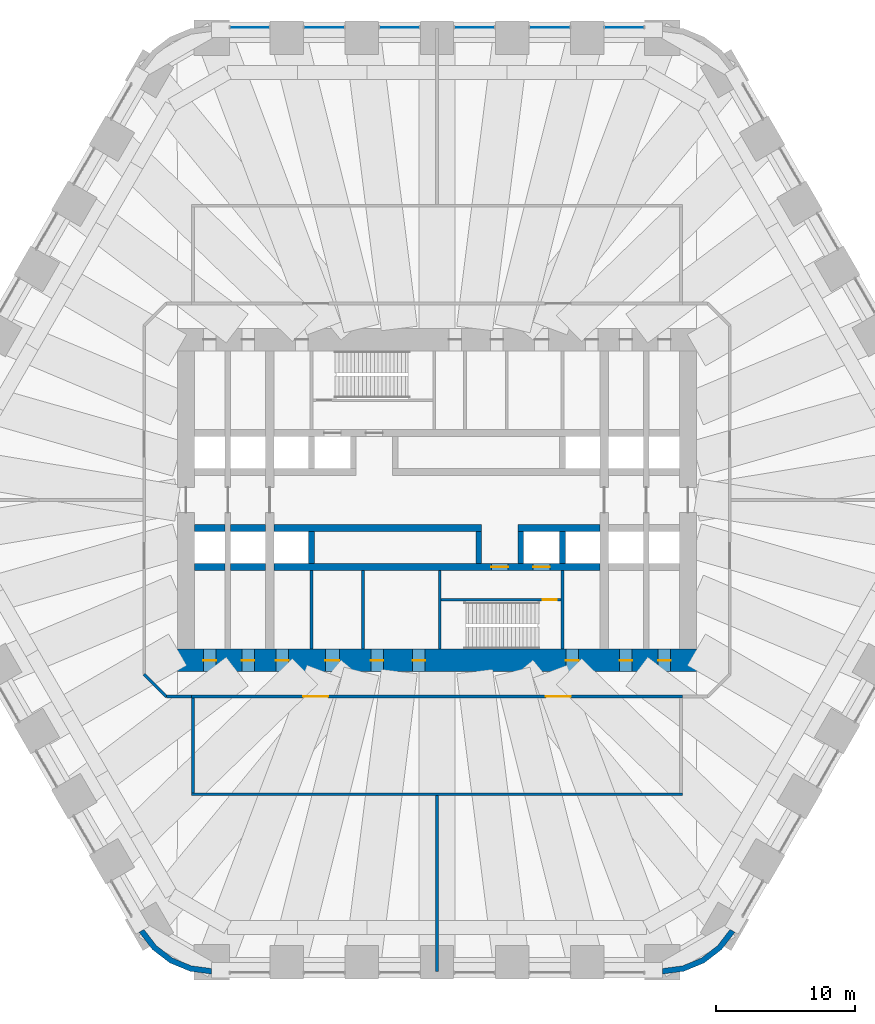
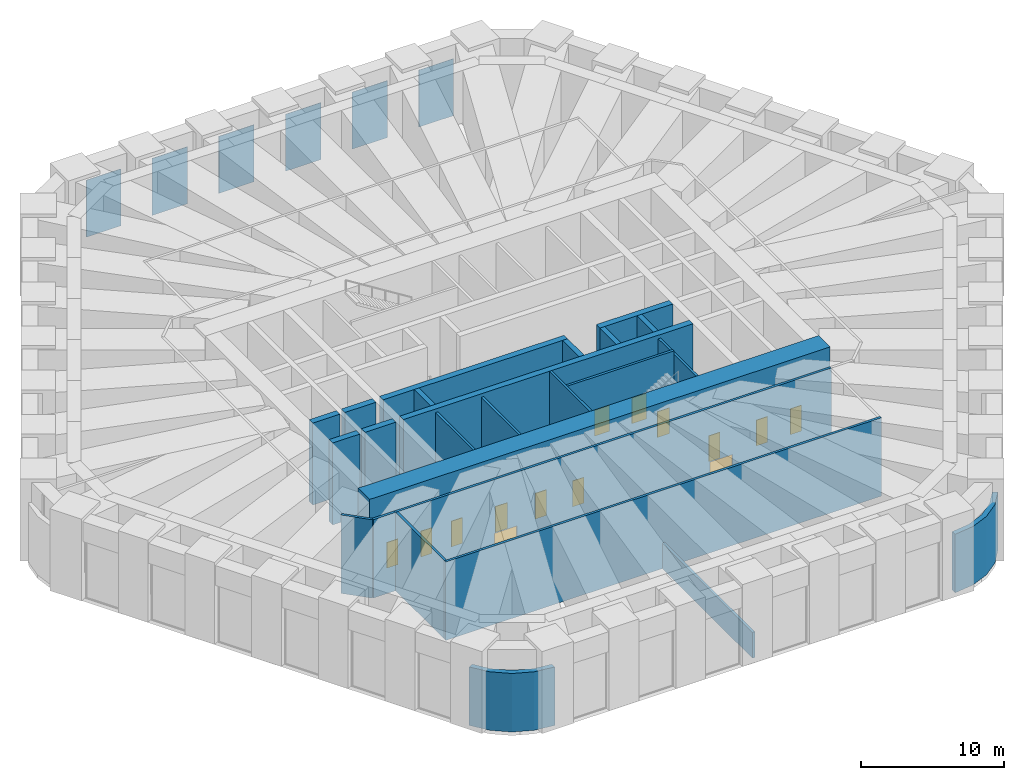
# One storey, part 13 of 17: 25 walls, 14 doors, 6 plates, 14 openings, 6 elements without a shape of their own.
"""IFC4 building model written with IfcOpenShell, lengths in metres."""

from ifc_helpers import new_model, si_unit, direction, frame, frame_2d, origin, origin_2d, place, context, subcontext, project, spatial, polyline, rectangle, outline, extrude, material, layer, layer_set, type_object, element, fill, aggregate, save


model = new_model("IFC4")

# Units and contexts
model_context = context("Model", 3, precision=1e-05, world=origin(), true_north=direction((0.0, 1.0)))
body_context = subcontext(model_context, "Body", "Model", "MODEL_VIEW")
ifc_project = project(units=[si_unit("LENGTHUNIT", "METRE"), si_unit("AREAUNIT", "SQUARE_METRE"), si_unit("VOLUMEUNIT", "CUBIC_METRE"), si_unit("PLANEANGLEUNIT", "RADIAN"), si_unit("MASSUNIT", "GRAM", prefix="KILO")], contexts=[model_context])

# Site, building, storey
site_placement = place(None, origin())
site = spatial("IfcSite", under=ifc_project, at=site_placement, CompositionType="ELEMENT")
building_placement = place(site_placement, origin())
building = spatial("IfcBuilding", under=site, at=building_placement, Name="Tarfa Lantern Tower", CompositionType="ELEMENT")
storey_placement = place(building_placement, frame((0.0, 0.0, 107.5)))
storey = spatial("IfcBuildingStorey", under=building, at=storey_placement, Name="L24", CompositionType="ELEMENT", Elevation=107.5)

# Curtain wall, plate
ifc_material_1 = material(Name="Aluminium framed curtain wall", Category="aluminium")
curtain_wall_type = type_object("IfcCurtainWallType", Name="CW6 LOUVRED SCREEN WALL 5000", PredefinedType="USERDEFINED", material=ifc_material_1)
curtain_wall_1_placement = place(storey_placement, origin())
curtain_wall_1 = element("IfcCurtainWall", 1, at=curtain_wall_1_placement, inside=storey, type_object=curtain_wall_type, Name="CW6 N L24", ObjectType="CURTAIN WALL", PredefinedType="USERDEFINED")
ifc_material_2 = material(Name="Aluminium louvre blades", Category="aluminium")
ifc_layer_1 = layer(ifc_material_2, 0.028076171875)
ifc_layer_set_1 = layer_set([ifc_layer_1], Name="CWP2 LOUVRE PANEL")
plate_type = type_object("IfcPlateType", Name="CWP2 LOUVRE PANEL", PredefinedType="CURTAIN_PANEL", material=ifc_layer_set_1)
plate_1_placement = place(storey_placement, frame((13.43408203125, 33.89990234375, 0.06494140625), z_axis=(0.0, 0.0, 1.0), x_axis=(-1.0, 0.0, 0.0)))
plate_1 = element("IfcPlate", 2, at=plate_1_placement, type_object=plate_type, Name="CW6 panel 1.1", PredefinedType="CURTAIN_PANEL", context=body_context, shape_type="SweptSolid", body=[
    extrude(rectangle(XDim=2.78369140625, YDim=0.028076171875, at=origin_2d()), origin(), (0.0, 0.0, 1.0), 4.8701171875),
])
aggregate(curtain_wall_1, [plate_1])

curtain_wall_2_placement = place(storey_placement, origin())
curtain_wall_2 = element("IfcCurtainWall", 3, at=curtain_wall_2_placement, inside=storey, type_object=curtain_wall_type, Name="CW6 N L24", ObjectType="CURTAIN WALL", PredefinedType="USERDEFINED")
plate_2_placement = place(storey_placement, frame((8.0830078125, 33.89990234375, 0.06494140625), z_axis=(0.0, 0.0, 1.0), x_axis=(-1.0, 0.0, 0.0)))
plate_2 = element("IfcPlate", 4, at=plate_2_placement, type_object=plate_type, Name="CW6 panel 1.1", PredefinedType="CURTAIN_PANEL", context=body_context, shape_type="SweptSolid", body=[
    extrude(rectangle(XDim=2.858642578125, YDim=0.028076171875, at=origin_2d()), origin(), (0.0, 0.0, 1.0), 4.8701171875),
])
aggregate(curtain_wall_2, [plate_2])

curtain_wall_3_placement = place(storey_placement, origin())
curtain_wall_3 = element("IfcCurtainWall", 5, at=curtain_wall_3_placement, inside=storey, type_object=curtain_wall_type, Name="CW6 N L24", ObjectType="CURTAIN WALL", PredefinedType="USERDEFINED")
plate_3_placement = place(storey_placement, frame((2.6943359375, 33.89990234375, 0.06494140625), z_axis=(0.0, 0.0, 1.0), x_axis=(-1.0, 0.0, 0.0)))
plate_3 = element("IfcPlate", 6, at=plate_3_placement, type_object=plate_type, Name="CW6 panel 1.1", PredefinedType="CURTAIN_PANEL", context=body_context, shape_type="SweptSolid", body=[
    extrude(rectangle(XDim=2.858642578125, YDim=0.028076171875, at=origin_2d()), origin(), (0.0, 0.0, 1.0), 4.8701171875),
])
aggregate(curtain_wall_3, [plate_3])

curtain_wall_4_placement = place(storey_placement, origin())
curtain_wall_4 = element("IfcCurtainWall", 7, at=curtain_wall_4_placement, inside=storey, type_object=curtain_wall_type, Name="CW6 N L24", ObjectType="CURTAIN WALL", PredefinedType="USERDEFINED")
plate_4_placement = place(storey_placement, frame((-2.6943359375, 33.89990234375, 0.06494140625), z_axis=(0.0, 0.0, 1.0), x_axis=(-1.0, 0.0, 0.0)))
plate_4 = element("IfcPlate", 8, at=plate_4_placement, type_object=plate_type, Name="CW6 panel 1.1", PredefinedType="CURTAIN_PANEL", context=body_context, shape_type="SweptSolid", body=[
    extrude(rectangle(XDim=2.858642578125, YDim=0.028076171875, at=origin_2d()), origin(), (0.0, 0.0, 1.0), 4.8701171875),
])
aggregate(curtain_wall_4, [plate_4])

curtain_wall_5_placement = place(storey_placement, origin())
curtain_wall_5 = element("IfcCurtainWall", 9, at=curtain_wall_5_placement, inside=storey, type_object=curtain_wall_type, Name="CW6 N L24", ObjectType="CURTAIN WALL", PredefinedType="USERDEFINED")
plate_5_placement = place(storey_placement, frame((-8.0830078125, 33.89990234375, 0.06494140625), z_axis=(0.0, 0.0, 1.0), x_axis=(-1.0, 0.0, 0.0)))
plate_5 = element("IfcPlate", 10, at=plate_5_placement, type_object=plate_type, Name="CW6 panel 1.1", PredefinedType="CURTAIN_PANEL", context=body_context, shape_type="SweptSolid", body=[
    extrude(rectangle(XDim=2.858642578125, YDim=0.028076171875, at=origin_2d()), origin(), (0.0, 0.0, 1.0), 4.8701171875),
])
aggregate(curtain_wall_5, [plate_5])

curtain_wall_6_placement = place(storey_placement, origin())
curtain_wall_6 = element("IfcCurtainWall", 11, at=curtain_wall_6_placement, inside=storey, type_object=curtain_wall_type, Name="CW6 N L24", ObjectType="CURTAIN WALL", PredefinedType="USERDEFINED")
plate_6_placement = place(storey_placement, frame((-13.43408203125, 33.89990234375, 0.06494140625), z_axis=(0.0, 0.0, 1.0), x_axis=(-1.0, 0.0, 0.0)))
plate_6 = element("IfcPlate", 12, at=plate_6_placement, type_object=plate_type, Name="CW6 panel 1.1", PredefinedType="CURTAIN_PANEL", context=body_context, shape_type="SweptSolid", body=[
    extrude(rectangle(XDim=2.78369140625, YDim=0.028076171875, at=origin_2d()), origin(), (0.0, 0.0, 1.0), 4.8701171875),
])
aggregate(curtain_wall_6, [plate_6])

# Walls
ifc_material_3 = material(Name="Limestone cladding on blockwork", Category="masonry")
ifc_layer_2 = layer(ifc_material_3, 0.39990234375)
ifc_layer_set_2 = layer_set([ifc_layer_2], Name="EW2 CURVED STONE CORNER 400")
wall_type_1 = type_object("IfcWallType", Name="EW2 CURVED STONE CORNER 400", PredefinedType="SOLIDWALL", material=ifc_layer_set_2)
wall_1_placement = place(storey_placement, origin())
element("IfcWall", 13, at=wall_1_placement, inside=storey, type_object=wall_type_1, Name="Stone corner SW-S", PredefinedType="SOLIDWALL", context=body_context, shape_type="SweptSolid", body=[
    extrude(outline(polyline([(-21.362060546875, -31.0), (-20.408447265625, -32.24267578125), (-19.165771484375, -33.196044921875), (-17.71875, -33.795654296875), (-16.165771484375, -34.0), (-16.165771484375, -33.60009765625), (-17.615234375, -33.4091796875), (-18.9658203125, -32.849853515625), (-20.12548828125, -31.959716796875), (-21.015625, -30.800048828125), (-21.362060546875, -31.0)])), origin(), (0.0, 0.0, 1.0), 5.0),
])
wall_2_placement = place(storey_placement, origin())
element("IfcWall", 14, at=wall_2_placement, inside=storey, type_object=wall_type_1, Name="Stone corner S-SE", PredefinedType="SOLIDWALL", context=body_context, shape_type="SweptSolid", body=[
    extrude(outline(polyline([(16.165771484375, -34.0), (17.71875, -33.795654296875), (19.165771484375, -33.196044921875), (20.408447265625, -32.24267578125), (21.362060546875, -31.0), (21.015625, -30.800048828125), (20.12548828125, -31.959716796875), (18.9658203125, -32.849853515625), (17.615234375, -33.4091796875), (16.165771484375, -33.60009765625), (16.165771484375, -34.0)])), origin(), (0.0, 0.0, 1.0), 5.0),
])
ifc_material_4 = material(Name="Concrete blockwork", Category="masonry")
ifc_layer_3 = layer(ifc_material_4, 0.199951171875)
ifc_layer_set_3 = layer_set([ifc_layer_3], Name="IW1 BLOCKWORK PARTITION 200 EI 120")
wall_type_2 = type_object("IfcWallType", Name="IW1 BLOCKWORK PARTITION 200 EI 120", PredefinedType="PARTITIONING", material=ifc_layer_set_3)
for number, where, z_axis, x_axis, name in (
    (15, (9.0, -5.050048828125, 0.0), (0.0, 0.0, 1.0), (0.0, -1.0, 0.0), "Core partition"),
    (16, (-9.0, -5.050048828125, 0.0), (0.0, 0.0, 1.0), (0.0, -1.0, 0.0), "Core partition"),
    (17, (-5.300048828125, -5.050048828125, 0.0), (0.0, 0.0, 1.0), (0.0, -1.0, 0.0), "Core partition"),
):
    element("IfcWall", number, at=place(storey_placement, frame(where, z_axis=z_axis, x_axis=x_axis)), inside=storey, type_object=wall_type_2, Name=name, PredefinedType="PARTITIONING", context=body_context, shape_type="SweptSolid", body=[
        extrude(rectangle(XDim=5.64990234375, YDim=0.199951171875, at=frame_2d((2.824951171875, 0.0))), origin(), (0.0, 0.0, 1.0), 6.699951171875),
    ])
wall_3_placement = place(storey_placement, frame((-17.60009765625, -14.10009765625, 0.0), z_axis=(0.0, 0.0, 1.0), x_axis=(-1.0, 0.0, 0.0)))
element("IfcWall", 18, at=wall_3_placement, inside=storey, type_object=wall_type_2, Name="Fire-rated partition", PredefinedType="PARTITIONING", context=body_context, shape_type="SweptSolid", body=[
    extrude(rectangle(XDim=1.7998046875, YDim=0.199951171875, at=frame_2d((0.89990234375, 0.0))), origin(), (0.0, 0.0, 1.0), 6.699951171875),
])
wall_4_placement = place(storey_placement, frame((-19.39990234375, -14.10009765625, 0.0), z_axis=(0.0, 0.0, 1.0), x_axis=(-0.707106781187, 0.707106781187, 0.0)))
element("IfcWall", 19, at=wall_4_placement, inside=storey, type_object=wall_type_2, Name="Fire-rated partition", PredefinedType="PARTITIONING", context=body_context, shape_type="SweptSolid", body=[
    extrude(rectangle(XDim=2.262939453125, YDim=0.199951171875, at=frame_2d((1.13134765625, 0.0))), origin(), (0.0, 0.0, 1.0), 6.699951171875),
])
wall_5_placement = place(storey_placement, frame((0.0, -21.199951171875, 0.0), z_axis=(0.0, 0.0, 1.0), x_axis=(0.0, -1.0, 0.0)))
element("IfcWall", 20, at=wall_5_placement, inside=storey, type_object=wall_type_2, Name="Fire-rated partition", PredefinedType="PARTITIONING", context=body_context, shape_type="SweptSolid", body=[
    extrude(rectangle(XDim=12.610107421875, YDim=0.199951171875, at=frame_2d((6.30517578125, 0.0))), origin(), (0.0, 0.0, 1.0), 2.199951171875),
])

# Wall, openings, doors
ifc_material_5 = material(Name="Gypsum board on steel studs", Category="steel")
ifc_layer_4 = layer(ifc_material_5, 0.2099609375)
ifc_layer_set_4 = layer_set([ifc_layer_4], Name="IW2 ACOUSTIC PARTITION 200")
wall_type_3 = type_object("IfcWallType", Name="IW2 ACOUSTIC PARTITION 200", PredefinedType="PARTITIONING", material=ifc_layer_set_4)
wall_6_placement = place(storey_placement, frame((17.60009765625, -14.10009765625, 0.0), z_axis=(0.0, 0.0, 1.0), x_axis=(-1.0, 0.0, 0.0)))
wall_6 = element("IfcWall", 21, at=wall_6_placement, inside=storey, type_object=wall_type_3, Name="Partition", PredefinedType="PARTITIONING", context=body_context, shape_type="SweptSolid", body=[
    extrude(rectangle(XDim=35.2001953125, YDim=0.199951171875, at=frame_2d((17.60009765625, 0.0))), origin(), (0.0, 0.0, 1.0), 6.699951171875),
])
opening_1_placement = place(wall_6_placement, frame((25.39990234375, 0.0, 0.0)))
opening_1 = element("IfcOpeningElement", 22, at=opening_1_placement, cuts=wall_6, Name="Opening D35", PredefinedType="OPENING", context=body_context, shape_type="SweptSolid", body=[
    extrude(rectangle(XDim=1.800048828125, YDim=2.10009765625, at=frame_2d((0.89990234375, 1.050048828125))), frame((0.0, 0.10986328125, 0.0), z_axis=(0.0, -1.0, 0.0), x_axis=(1.0, 0.0, 0.0)), (0.0, 0.0, 1.0), 0.219970703125),
])
opening_2_placement = place(wall_6_placement, frame((8.0, 0.0, 0.0)))
opening_2 = element("IfcOpeningElement", 23, at=opening_2_placement, cuts=wall_6, Name="Opening D36", PredefinedType="OPENING", context=body_context, shape_type="SweptSolid", body=[
    extrude(rectangle(XDim=1.800048828125, YDim=2.10009765625, at=frame_2d((0.89990234375, 1.050048828125))), frame((0.0, 0.10986328125, 0.0), z_axis=(0.0, -1.0, 0.0), x_axis=(1.0, 0.0, 0.0)), (0.0, 0.0, 1.0), 0.219970703125),
])
ifc_material_6 = material(Name="Timber door", Category="wood")
door_type_1 = type_object("IfcDoorType", Name="DR4 ROOM DOOR 1800x2100", OperationType="DOUBLE_DOOR_SINGLE_SWING", PredefinedType="DOOR", material=ifc_material_6)
door_1_placement = place(opening_1_placement, origin())
door_1 = element("IfcDoor", 24, at=door_1_placement, inside=storey, type_object=door_type_1, Name="Refuge area door", OperationType="DOUBLE_DOOR_SINGLE_SWING", OverallHeight=2.10009765625, OverallWidth=1.800048828125, PredefinedType="DOOR", context=body_context, shape_type="SweptSolid", body=[
    extrude(rectangle(XDim=1.800048828125, YDim=2.10009765625, at=frame_2d((0.89990234375, 1.050048828125))), frame((0.0, 0.02490234375, 0.0), z_axis=(0.0, -1.0, 0.0), x_axis=(1.0, 0.0, 0.0)), (0.0, 0.0, 1.0), 0.050048828125),
])
fill(opening_1, door_1)
door_2_placement = place(opening_2_placement, origin())
door_2 = element("IfcDoor", 25, at=door_2_placement, inside=storey, type_object=door_type_1, Name="Refuge area door", OperationType="DOUBLE_DOOR_SINGLE_SWING", OverallHeight=2.10009765625, OverallWidth=1.800048828125, PredefinedType="DOOR", context=body_context, shape_type="SweptSolid", body=[
    extrude(rectangle(XDim=1.800048828125, YDim=2.10009765625, at=frame_2d((0.89990234375, 1.050048828125))), frame((0.0, 0.02490234375, 0.0), z_axis=(0.0, -1.0, 0.0), x_axis=(1.0, 0.0, 0.0)), (0.0, 0.0, 1.0), 0.050048828125),
])
fill(opening_2, door_2)

# Walls
wall_7_placement = place(storey_placement, frame((-17.5, -14.199951171875, 0.0), z_axis=(0.0, 0.0, 1.0), x_axis=(0.0, -1.0, 0.0)))
element("IfcWall", 26, at=wall_7_placement, inside=storey, type_object=wall_type_3, Name="Partition", PredefinedType="PARTITIONING", context=body_context, shape_type="SweptSolid", body=[
    extrude(rectangle(XDim=6.800048828125, YDim=0.199951171875, at=frame_2d((3.39990234375, 0.0))), origin(), (0.0, 0.0, 1.0), 6.699951171875),
])
wall_8_placement = place(storey_placement, frame((17.60009765625, -21.10009765625, 0.0), z_axis=(0.0, 0.0, 1.0), x_axis=(-1.0, 0.0, 0.0)))
element("IfcWall", 27, at=wall_8_placement, inside=storey, type_object=wall_type_3, Name="Partition", PredefinedType="PARTITIONING", context=body_context, shape_type="SweptSolid", body=[
    extrude(rectangle(XDim=35.2001953125, YDim=0.199951171875, at=frame_2d((17.60009765625, 0.0))), origin(), (0.0, 0.0, 1.0), 6.699951171875),
])
ifc_material_7 = material(Name="Concrete C80/95", Category="concrete")
ifc_layer_5 = layer(ifc_material_7, 0.199951171875)
ifc_layer_set_5 = layer_set([ifc_layer_5], Name="SW12 CORE WALL 200")
wall_type_4 = type_object("IfcWallType", Name="SW12 CORE WALL 200", PredefinedType="SHEAR", material=ifc_layer_set_5)
wall_9_placement = place(storey_placement, frame((0.199951171875, -5.050048828125, 0.0), z_axis=(0.0, 0.0, 1.0), x_axis=(0.0, -1.0, 0.0)))
element("IfcWall", 28, at=wall_9_placement, inside=storey, type_object=wall_type_4, Name="Core wall stair shaft S", PredefinedType="SHEAR", context=body_context, shape_type="SweptSolid", body=[
    extrude(rectangle(XDim=5.64990234375, YDim=0.199951171875, at=frame_2d((2.824951171875, 0.0))), origin(), (0.0, 0.0, 1.0), 7.0),
])

# Wall, opening, door
wall_10_placement = place(storey_placement, frame((8.89990234375, -7.14990234375, 0.0), z_axis=(0.0, 0.0, 1.0), x_axis=(-1.0, 0.0, 0.0)))
wall_10 = element("IfcWall", 29, at=wall_10_placement, inside=storey, type_object=wall_type_4, Name="Core wall stair partition S", PredefinedType="SHEAR", context=body_context, shape_type="SweptSolid", body=[
    extrude(rectangle(XDim=8.599853515625, YDim=0.199951171875, at=frame_2d((4.2998046875, 0.0))), origin(), (0.0, 0.0, 1.0), 7.0),
])
opening_3_placement = place(wall_10_placement, frame((0.300048828125, 0.0, 0.0)))
opening_3 = element("IfcOpeningElement", 30, at=opening_3_placement, cuts=wall_10, Name="Opening D24", PredefinedType="OPENING", context=body_context, shape_type="SweptSolid", body=[
    extrude(rectangle(XDim=1.0, YDim=2.199951171875, at=frame_2d((0.5, 1.10009765625))), frame((0.0, 0.10986328125, 0.0), z_axis=(0.0, -1.0, 0.0), x_axis=(1.0, 0.0, 0.0)), (0.0, 0.0, 1.0), 0.219970703125),
])
ifc_material_8 = material(Name="Steel fire door", Category="steel")
door_type_2 = type_object("IfcDoorType", Name="DF2 STAIR DOOR 1000x2200", OperationType="SINGLE_SWING_LEFT", PredefinedType="DOOR", material=ifc_material_8)
door_3_placement = place(opening_3_placement, origin())
door_3 = element("IfcDoor", 31, at=door_3_placement, inside=storey, type_object=door_type_2, Name="Stair door", OperationType="SINGLE_SWING_RIGHT", OverallHeight=2.199951171875, OverallWidth=1.0, PredefinedType="DOOR", context=body_context, shape_type="SweptSolid", body=[
    extrude(rectangle(XDim=1.0, YDim=2.199951171875, at=frame_2d((0.5, 1.10009765625))), frame((0.0, 0.02490234375, 0.0), z_axis=(0.0, -1.0, 0.0), x_axis=(1.0, 0.0, 0.0)), (0.0, 0.0, 1.0), 0.050048828125),
])
fill(opening_3, door_3)

# Walls
ifc_layer_6 = layer(ifc_material_7, 0.5)
ifc_layer_set_6 = layer_set([ifc_layer_6], Name="SW5 CORE WALL 500")
wall_type_5 = type_object("IfcWallType", Name="SW5 CORE WALL 500", PredefinedType="SHEAR", material=ifc_layer_set_6)
wall_11_placement = place(storey_placement, frame((11.699951171875, -2.0, 0.0), z_axis=(0.0, 0.0, 1.0), x_axis=(-1.0, 0.0, 0.0)))
element("IfcWall", 32, at=wall_11_placement, inside=storey, type_object=wall_type_5, Name="Core wall lobby west S", PredefinedType="SHEAR", context=body_context, shape_type="SweptSolid", body=[
    extrude(rectangle(XDim=5.89990234375, YDim=0.5, at=frame_2d((2.949951171875, 0.0))), origin(), (0.0, 0.0, 1.0), 7.0),
])
wall_12_placement = place(storey_placement, frame((3.199951171875, -2.0, 0.0), z_axis=(0.0, 0.0, 1.0), x_axis=(-1.0, 0.0, 0.0)))
element("IfcWall", 33, at=wall_12_placement, inside=storey, type_object=wall_type_5, Name="Core wall lobby east S", PredefinedType="SHEAR", context=body_context, shape_type="SweptSolid", body=[
    extrude(rectangle(XDim=14.89990234375, YDim=0.5, at=frame_2d((7.449951171875, 0.0))), origin(), (0.0, 0.0, 1.0), 7.0),
])
wall_13_placement = place(storey_placement, frame((-12.300048828125, -2.0, 0.0), z_axis=(0.0, 0.0, 1.0), x_axis=(-1.0, 0.0, 0.0)))
element("IfcWall", 34, at=wall_13_placement, inside=storey, type_object=wall_type_5, Name="Core wall lobby east S", PredefinedType="SHEAR", context=body_context, shape_type="SweptSolid", body=[
    extrude(rectangle(XDim=2.5, YDim=0.5, at=frame_2d((1.25, 0.0))), origin(), (0.0, 0.0, 1.0), 7.0),
])
wall_14_placement = place(storey_placement, frame((-15.199951171875, -2.0, 0.0), z_axis=(0.0, 0.0, 1.0), x_axis=(-1.0, 0.0, 0.0)))
element("IfcWall", 35, at=wall_14_placement, inside=storey, type_object=wall_type_5, Name="Core wall lobby east S", PredefinedType="SHEAR", context=body_context, shape_type="SweptSolid", body=[
    extrude(rectangle(XDim=2.199951171875, YDim=0.5, at=frame_2d((1.10009765625, 0.0))), origin(), (0.0, 0.0, 1.0), 7.0),
])

# Wall, openings, doors
wall_15_placement = place(storey_placement, frame((11.699951171875, -4.800048828125, 0.0), z_axis=(0.0, 0.0, 1.0), x_axis=(-1.0, 0.0, 0.0)))
wall_15 = element("IfcWall", 36, at=wall_15_placement, inside=storey, type_object=wall_type_5, Name="Core wall rear S", PredefinedType="SHEAR", context=body_context, shape_type="SweptSolid", body=[
    extrude(rectangle(XDim=23.39990234375, YDim=0.5, at=frame_2d((11.699951171875, 0.0))), origin(), (0.0, 0.0, 1.0), 7.0),
])
opening_4_placement = place(wall_15_placement, frame((6.60009765625, 0.0, 0.0)))
opening_4 = element("IfcOpeningElement", 37, at=opening_4_placement, cuts=wall_15, Name="Opening D14", PredefinedType="OPENING", context=body_context, shape_type="SweptSolid", body=[
    extrude(rectangle(XDim=1.199951171875, YDim=2.199951171875, at=frame_2d((0.60009765625, 1.10009765625))), frame((0.0, 0.260009765625, 0.0), z_axis=(0.0, -1.0, 0.0), x_axis=(1.0, 0.0, 0.0)), (0.0, 0.0, 1.0), 0.52001953125),
])
opening_5_placement = place(wall_15_placement, frame((3.60009765625, 0.0, 0.0)))
opening_5 = element("IfcOpeningElement", 38, at=opening_5_placement, cuts=wall_15, Name="Opening LD02", PredefinedType="OPENING", context=body_context, shape_type="SweptSolid", body=[
    extrude(rectangle(XDim=1.199951171875, YDim=2.199951171875, at=frame_2d((0.60009765625, 1.10009765625))), frame((0.0, 0.260009765625, 0.0), z_axis=(0.0, -1.0, 0.0), x_axis=(1.0, 0.0, 0.0)), (0.0, 0.0, 1.0), 0.52001953125),
])
door_type_3 = type_object("IfcDoorType", Name="DF1 FIREFIGHTING LOBBY DOOR 1200x2200", OperationType="SINGLE_SWING_LEFT", PredefinedType="DOOR", material=ifc_material_8)
door_4_placement = place(opening_4_placement, origin())
door_4 = element("IfcDoor", 39, at=door_4_placement, inside=storey, type_object=door_type_3, Name="Firefighting lobby door", OperationType="SINGLE_SWING_LEFT", OverallHeight=2.199951171875, OverallWidth=1.199951171875, PredefinedType="DOOR", context=body_context, shape_type="SweptSolid", body=[
    extrude(rectangle(XDim=1.199951171875, YDim=2.199951171875, at=frame_2d((0.60009765625, 1.10009765625))), frame((0.0, 0.02490234375, 0.0), z_axis=(0.0, -1.0, 0.0), x_axis=(1.0, 0.0, 0.0)), (0.0, 0.0, 1.0), 0.050048828125),
])
fill(opening_4, door_4)
ifc_material_9 = material(Name="Stainless steel lift door", Category="steel")
door_type_4 = type_object("IfcDoorType", Name="LD1 LIFT LANDING DOOR 1200x2200", OperationType="SLIDING_TO_LEFT", PredefinedType="DOOR", material=ifc_material_9)
door_5_placement = place(opening_5_placement, origin())
door_5 = element("IfcDoor", 40, at=door_5_placement, inside=storey, type_object=door_type_4, Name="Landing door FL2", OperationType="SLIDING_TO_LEFT", OverallHeight=2.199951171875, OverallWidth=1.199951171875, PredefinedType="DOOR", context=body_context, shape_type="SweptSolid", body=[
    extrude(rectangle(XDim=1.199951171875, YDim=2.199951171875, at=frame_2d((0.60009765625, 1.10009765625))), frame((0.0, 0.02490234375, 0.0), z_axis=(0.0, -1.0, 0.0), x_axis=(1.0, 0.0, 0.0)), (0.0, 0.0, 1.0), 0.050048828125),
])
fill(opening_5, door_5)

# Walls
wall_16_placement = place(storey_placement, frame((-12.300048828125, -4.800048828125, 0.0), z_axis=(0.0, 0.0, 1.0), x_axis=(-1.0, 0.0, 0.0)))
element("IfcWall", 41, at=wall_16_placement, inside=storey, type_object=wall_type_5, Name="Core wall rear S", PredefinedType="SHEAR", context=body_context, shape_type="SweptSolid", body=[
    extrude(rectangle(XDim=2.5, YDim=0.5, at=frame_2d((1.25, 0.0))), origin(), (0.0, 0.0, 1.0), 7.0),
])
wall_17_placement = place(storey_placement, frame((-15.199951171875, -4.800048828125, 0.0), z_axis=(0.0, 0.0, 1.0), x_axis=(-1.0, 0.0, 0.0)))
element("IfcWall", 42, at=wall_17_placement, inside=storey, type_object=wall_type_5, Name="Core wall rear S", PredefinedType="SHEAR", context=body_context, shape_type="SweptSolid", body=[
    extrude(rectangle(XDim=2.199951171875, YDim=0.5, at=frame_2d((1.10009765625, 0.0))), origin(), (0.0, 0.0, 1.0), 7.0),
])
ifc_layer_7 = layer(ifc_material_7, 0.39990234375)
ifc_layer_set_7 = layer_set([ifc_layer_7], Name="SW6 CORE WALL 400")
wall_type_6 = type_object("IfcWallType", Name="SW6 CORE WALL 400", PredefinedType="SHEAR", material=ifc_layer_set_7)
for number, where, z_axis, x_axis, name in (
    (43, (9.0, -2.25, 0.0), (0.0, 0.0, 1.0), (0.0, -1.0, 0.0), "Core wall divider S"),
    (44, (6.0, -2.25, 0.0), (0.0, 0.0, 1.0), (0.0, -1.0, 0.0), "Core wall divider S"),
    (45, (3.0, -2.25, 0.0), (0.0, 0.0, 1.0), (0.0, -1.0, 0.0), "Core wall divider S"),
    (46, (-9.0, -2.25, 0.0), (0.0, 0.0, 1.0), (0.0, -1.0, 0.0), "Core wall divider S"),
):
    element("IfcWall", number, at=place(storey_placement, frame(where, z_axis=z_axis, x_axis=x_axis)), inside=storey, type_object=wall_type_6, Name=name, PredefinedType="SHEAR", context=body_context, shape_type="SweptSolid", body=[
        extrude(rectangle(XDim=2.300048828125, YDim=0.39990234375, at=frame_2d((1.14990234375, 0.0))), origin(), (0.0, 0.0, 1.0), 7.0),
    ])

# Wall, openings, doors
ifc_layer_8 = layer(ifc_material_7, 1.60009765625)
ifc_layer_set_8 = layer_set([ifc_layer_8], Name="SW7 CORE WALL 1600")
wall_type_7 = type_object("IfcWallType", Name="SW7 CORE WALL 1600", PredefinedType="SHEAR", material=ifc_layer_set_8)
wall_18_placement = place(storey_placement, frame((18.60009765625, -11.5, 0.0), z_axis=(0.0, 0.0, 1.0), x_axis=(-1.0, 0.0, 0.0)))
wall_18 = element("IfcWall", 47, at=wall_18_placement, inside=storey, type_object=wall_type_7, Name="Core wall S", PredefinedType="SHEAR", context=body_context, shape_type="SweptSolid", body=[
    extrude(rectangle(XDim=37.2001953125, YDim=1.60009765625, at=frame_2d((18.60009765625, 0.0))), origin(), (0.0, 0.0, 1.0), 7.0),
])
opening_6_placement = place(wall_18_placement, frame((19.449951171875, 0.0, 0.0)))
opening_6 = element("IfcOpeningElement", 48, at=opening_6_placement, cuts=wall_18, Name="Opening D18", PredefinedType="OPENING", context=body_context, shape_type="SweptSolid", body=[
    extrude(rectangle(XDim=0.89990234375, YDim=2.199951171875, at=frame_2d((0.449951171875, 1.10009765625))), frame((0.0, 0.81005859375, 0.0), z_axis=(0.0, -1.0, 0.0), x_axis=(1.0, 0.0, 0.0)), (0.0, 0.0, 1.0), 1.6201171875),
])
opening_7_placement = place(wall_18_placement, frame((22.449951171875, 0.0, 0.0)))
opening_7 = element("IfcOpeningElement", 49, at=opening_7_placement, cuts=wall_18, Name="Opening D20", PredefinedType="OPENING", context=body_context, shape_type="SweptSolid", body=[
    extrude(rectangle(XDim=0.89990234375, YDim=2.199951171875, at=frame_2d((0.449951171875, 1.10009765625))), frame((0.0, 0.81005859375, 0.0), z_axis=(0.0, -1.0, 0.0), x_axis=(1.0, 0.0, 0.0)), (0.0, 0.0, 1.0), 1.6201171875),
])
opening_8_placement = place(wall_18_placement, frame((25.60009765625, 0.0, 0.0)))
opening_8 = element("IfcOpeningElement", 50, at=opening_8_placement, cuts=wall_18, Name="Opening D22", PredefinedType="OPENING", context=body_context, shape_type="SweptSolid", body=[
    extrude(rectangle(XDim=1.0, YDim=2.199951171875, at=frame_2d((0.5, 1.10009765625))), frame((0.0, 0.81005859375, 0.0), z_axis=(0.0, -1.0, 0.0), x_axis=(1.0, 0.0, 0.0)), (0.0, 0.0, 1.0), 1.6201171875),
])
opening_9_placement = place(wall_18_placement, frame((1.85009765625, 0.0, 0.0)))
opening_9 = element("IfcOpeningElement", 51, at=opening_9_placement, cuts=wall_18, Name="Opening D12", PredefinedType="OPENING", context=body_context, shape_type="SweptSolid", body=[
    extrude(rectangle(XDim=0.89990234375, YDim=2.199951171875, at=frame_2d((0.449951171875, 1.10009765625))), frame((0.0, 0.81005859375, 0.0), z_axis=(0.0, -1.0, 0.0), x_axis=(1.0, 0.0, 0.0)), (0.0, 0.0, 1.0), 1.6201171875),
])
opening_10_placement = place(wall_18_placement, frame((4.60009765625, 0.0, 0.0)))
opening_10 = element("IfcOpeningElement", 52, at=opening_10_placement, cuts=wall_18, Name="Opening D08", PredefinedType="OPENING", context=body_context, shape_type="SweptSolid", body=[
    extrude(rectangle(XDim=0.89990234375, YDim=2.199951171875, at=frame_2d((0.449951171875, 1.10009765625))), frame((0.0, 0.81005859375, 0.0), z_axis=(0.0, -1.0, 0.0), x_axis=(1.0, 0.0, 0.0)), (0.0, 0.0, 1.0), 1.6201171875),
])
opening_11_placement = place(wall_18_placement, frame((8.449951171875, 0.0, 0.0)))
opening_11 = element("IfcOpeningElement", 53, at=opening_11_placement, cuts=wall_18, Name="Opening D10", PredefinedType="OPENING", context=body_context, shape_type="SweptSolid", body=[
    extrude(rectangle(XDim=0.89990234375, YDim=2.199951171875, at=frame_2d((0.449951171875, 1.10009765625))), frame((0.0, 0.81005859375, 0.0), z_axis=(0.0, -1.0, 0.0), x_axis=(1.0, 0.0, 0.0)), (0.0, 0.0, 1.0), 1.6201171875),
])
opening_12_placement = place(wall_18_placement, frame((29.25, 0.0, 0.0)))
opening_12 = element("IfcOpeningElement", 54, at=opening_12_placement, cuts=wall_18, Name="Opening D06", PredefinedType="OPENING", context=body_context, shape_type="SweptSolid", body=[
    extrude(rectangle(XDim=0.89990234375, YDim=2.199951171875, at=frame_2d((0.449951171875, 1.10009765625))), frame((0.0, 0.81005859375, 0.0), z_axis=(0.0, -1.0, 0.0), x_axis=(1.0, 0.0, 0.0)), (0.0, 0.0, 1.0), 1.6201171875),
])
opening_13_placement = place(wall_18_placement, frame((31.699951171875, 0.0, 0.0)))
opening_13 = element("IfcOpeningElement", 55, at=opening_13_placement, cuts=wall_18, Name="Opening D02", PredefinedType="OPENING", context=body_context, shape_type="SweptSolid", body=[
    extrude(rectangle(XDim=0.89990234375, YDim=2.199951171875, at=frame_2d((0.449951171875, 1.10009765625))), frame((0.0, 0.81005859375, 0.0), z_axis=(0.0, -1.0, 0.0), x_axis=(1.0, 0.0, 0.0)), (0.0, 0.0, 1.0), 1.6201171875),
])
opening_14_placement = place(wall_18_placement, frame((34.449951171875, 0.0, 0.0)))
opening_14 = element("IfcOpeningElement", 56, at=opening_14_placement, cuts=wall_18, Name="Opening D04", PredefinedType="OPENING", context=body_context, shape_type="SweptSolid", body=[
    extrude(rectangle(XDim=0.89990234375, YDim=2.199951171875, at=frame_2d((0.449951171875, 1.10009765625))), frame((0.0, 0.81005859375, 0.0), z_axis=(0.0, -1.0, 0.0), x_axis=(1.0, 0.0, 0.0)), (0.0, 0.0, 1.0), 1.6201171875),
])
door_type_5 = type_object("IfcDoorType", Name="DF3 CORE ROOM DOOR 900x2200", OperationType="SINGLE_SWING_LEFT", PredefinedType="DOOR", material=ifc_material_8)
door_6_placement = place(opening_6_placement, frame((0.89990234375, 0.0, 0.0), z_axis=(0.0, 0.0, 1.0), x_axis=(-1.0, 0.0, 0.0)))
door_6 = element("IfcDoor", 57, at=door_6_placement, inside=storey, type_object=door_type_5, Name="Core door", OperationType="SINGLE_SWING_LEFT", OverallHeight=2.199951171875, OverallWidth=0.89990234375, PredefinedType="DOOR", context=body_context, shape_type="SweptSolid", body=[
    extrude(rectangle(XDim=0.89990234375, YDim=2.199951171875, at=frame_2d((0.449951171875, 1.10009765625))), frame((0.0, 0.02490234375, 0.0), z_axis=(0.0, -1.0, 0.0), x_axis=(1.0, 0.0, 0.0)), (0.0, 0.0, 1.0), 0.050048828125),
])
fill(opening_6, door_6)
door_7_placement = place(opening_7_placement, frame((0.89990234375, 0.0, 0.0), z_axis=(0.0, 0.0, 1.0), x_axis=(-1.0, 0.0, 0.0)))
door_7 = element("IfcDoor", 58, at=door_7_placement, inside=storey, type_object=door_type_5, Name="Core door", OperationType="SINGLE_SWING_RIGHT", OverallHeight=2.199951171875, OverallWidth=0.89990234375, PredefinedType="DOOR", context=body_context, shape_type="SweptSolid", body=[
    extrude(rectangle(XDim=0.89990234375, YDim=2.199951171875, at=frame_2d((0.449951171875, 1.10009765625))), frame((0.0, 0.02490234375, 0.0), z_axis=(0.0, -1.0, 0.0), x_axis=(1.0, 0.0, 0.0)), (0.0, 0.0, 1.0), 0.050048828125),
])
fill(opening_7, door_7)
door_type_6 = type_object("IfcDoorType", Name="DF4 CORE ROOM DOOR 1000x2200", OperationType="SINGLE_SWING_LEFT", PredefinedType="DOOR", material=ifc_material_8)
door_8_placement = place(opening_8_placement, frame((1.0, 0.0, 0.0), z_axis=(0.0, 0.0, 1.0), x_axis=(-1.0, 0.0, 0.0)))
door_8 = element("IfcDoor", 59, at=door_8_placement, inside=storey, type_object=door_type_6, Name="Core door", OperationType="SINGLE_SWING_RIGHT", OverallHeight=2.199951171875, OverallWidth=1.0, PredefinedType="DOOR", context=body_context, shape_type="SweptSolid", body=[
    extrude(rectangle(XDim=1.0, YDim=2.199951171875, at=frame_2d((0.5, 1.10009765625))), frame((0.0, 0.02490234375, 0.0), z_axis=(0.0, -1.0, 0.0), x_axis=(1.0, 0.0, 0.0)), (0.0, 0.0, 1.0), 0.050048828125),
])
fill(opening_8, door_8)
door_type_7 = type_object("IfcDoorType", Name="DF5 RISER DOOR 900x2200", OperationType="SINGLE_SWING_LEFT", PredefinedType="DOOR", material=ifc_material_8)
door_9_placement = place(opening_9_placement, frame((0.89990234375, 0.0, 0.0), z_axis=(0.0, 0.0, 1.0), x_axis=(-1.0, 0.0, 0.0)))
door_9 = element("IfcDoor", 60, at=door_9_placement, inside=storey, type_object=door_type_7, Name="Riser door", OperationType="SINGLE_SWING_LEFT", OverallHeight=2.199951171875, OverallWidth=0.89990234375, PredefinedType="DOOR", context=body_context, shape_type="SweptSolid", body=[
    extrude(rectangle(XDim=0.89990234375, YDim=2.199951171875, at=frame_2d((0.449951171875, 1.10009765625))), frame((0.0, 0.02490234375, 0.0), z_axis=(0.0, -1.0, 0.0), x_axis=(1.0, 0.0, 0.0)), (0.0, 0.0, 1.0), 0.050048828125),
])
fill(opening_9, door_9)
door_10_placement = place(opening_10_placement, frame((0.89990234375, 0.0, 0.0), z_axis=(0.0, 0.0, 1.0), x_axis=(-1.0, 0.0, 0.0)))
door_10 = element("IfcDoor", 61, at=door_10_placement, inside=storey, type_object=door_type_7, Name="Riser door", OperationType="SINGLE_SWING_LEFT", OverallHeight=2.199951171875, OverallWidth=0.89990234375, PredefinedType="DOOR", context=body_context, shape_type="SweptSolid", body=[
    extrude(rectangle(XDim=0.89990234375, YDim=2.199951171875, at=frame_2d((0.449951171875, 1.10009765625))), frame((0.0, 0.02490234375, 0.0), z_axis=(0.0, -1.0, 0.0), x_axis=(1.0, 0.0, 0.0)), (0.0, 0.0, 1.0), 0.050048828125),
])
fill(opening_10, door_10)
door_11_placement = place(opening_11_placement, frame((0.89990234375, 0.0, 0.0), z_axis=(0.0, 0.0, 1.0), x_axis=(-1.0, 0.0, 0.0)))
door_11 = element("IfcDoor", 62, at=door_11_placement, inside=storey, type_object=door_type_7, Name="Riser door", OperationType="SINGLE_SWING_RIGHT", OverallHeight=2.199951171875, OverallWidth=0.89990234375, PredefinedType="DOOR", context=body_context, shape_type="SweptSolid", body=[
    extrude(rectangle(XDim=0.89990234375, YDim=2.199951171875, at=frame_2d((0.449951171875, 1.10009765625))), frame((0.0, 0.02490234375, 0.0), z_axis=(0.0, -1.0, 0.0), x_axis=(1.0, 0.0, 0.0)), (0.0, 0.0, 1.0), 0.050048828125),
])
fill(opening_11, door_11)
door_12_placement = place(opening_12_placement, frame((0.89990234375, 0.0, 0.0), z_axis=(0.0, 0.0, 1.0), x_axis=(-1.0, 0.0, 0.0)))
door_12 = element("IfcDoor", 63, at=door_12_placement, inside=storey, type_object=door_type_7, Name="Riser door", OperationType="SINGLE_SWING_RIGHT", OverallHeight=2.199951171875, OverallWidth=0.89990234375, PredefinedType="DOOR", context=body_context, shape_type="SweptSolid", body=[
    extrude(rectangle(XDim=0.89990234375, YDim=2.199951171875, at=frame_2d((0.449951171875, 1.10009765625))), frame((0.0, 0.02490234375, 0.0), z_axis=(0.0, -1.0, 0.0), x_axis=(1.0, 0.0, 0.0)), (0.0, 0.0, 1.0), 0.050048828125),
])
fill(opening_12, door_12)
door_13_placement = place(opening_13_placement, frame((0.89990234375, 0.0, 0.0), z_axis=(0.0, 0.0, 1.0), x_axis=(-1.0, 0.0, 0.0)))
door_13 = element("IfcDoor", 64, at=door_13_placement, inside=storey, type_object=door_type_7, Name="Riser door", OperationType="SINGLE_SWING_RIGHT", OverallHeight=2.199951171875, OverallWidth=0.89990234375, PredefinedType="DOOR", context=body_context, shape_type="SweptSolid", body=[
    extrude(rectangle(XDim=0.89990234375, YDim=2.199951171875, at=frame_2d((0.449951171875, 1.10009765625))), frame((0.0, 0.02490234375, 0.0), z_axis=(0.0, -1.0, 0.0), x_axis=(1.0, 0.0, 0.0)), (0.0, 0.0, 1.0), 0.050048828125),
])
fill(opening_13, door_13)
door_14_placement = place(opening_14_placement, frame((0.89990234375, 0.0, 0.0), z_axis=(0.0, 0.0, 1.0), x_axis=(-1.0, 0.0, 0.0)))
door_14 = element("IfcDoor", 65, at=door_14_placement, inside=storey, type_object=door_type_7, Name="Riser door", OperationType="SINGLE_SWING_RIGHT", OverallHeight=2.199951171875, OverallWidth=0.89990234375, PredefinedType="DOOR", context=body_context, shape_type="SweptSolid", body=[
    extrude(rectangle(XDim=0.89990234375, YDim=2.199951171875, at=frame_2d((0.449951171875, 1.10009765625))), frame((0.0, 0.02490234375, 0.0), z_axis=(0.0, -1.0, 0.0), x_axis=(1.0, 0.0, 0.0)), (0.0, 0.0, 1.0), 0.050048828125),
])
fill(opening_14, door_14)

save(model, "model.ifc")
